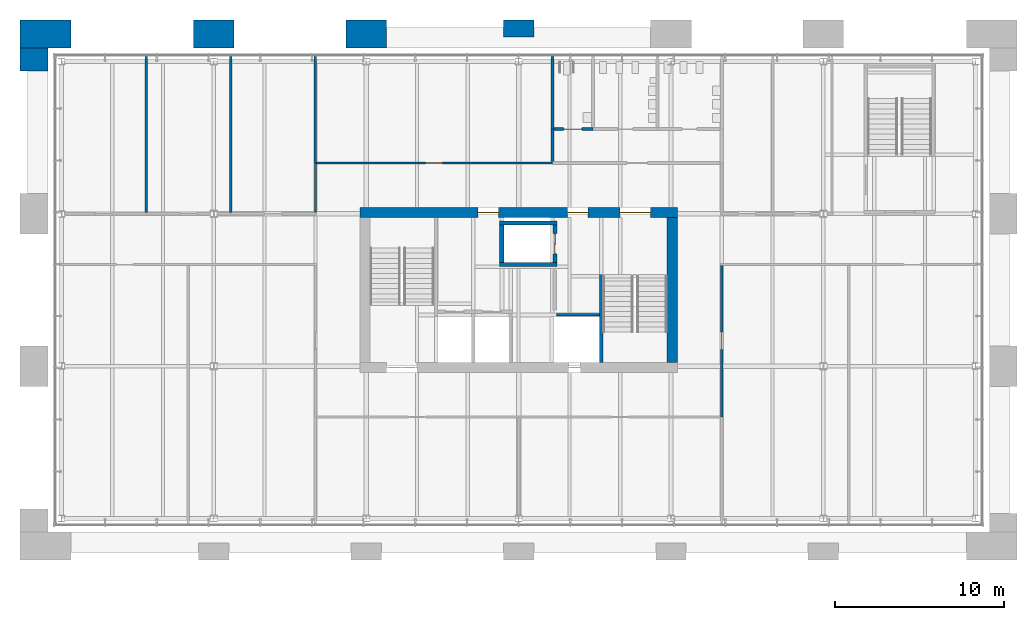
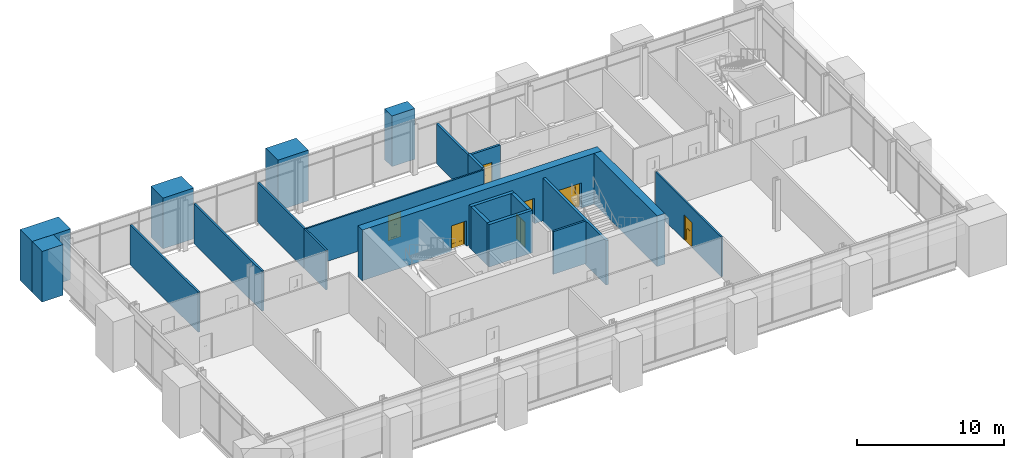
# One storey, part 24 of 43: 22 walls, 7 doors, 7 openings.
"""IFC4 building model written with IfcOpenShell, lengths in metres."""

from ifc_helpers import new_model, si_unit, direction, frame, frame_2d, origin, place, context, subcontext, project, spatial, polyline, rectangle, outline, extrude, material, layer, layer_set, type_object, element, fill, save


model = new_model("IFC4")

# Units and contexts
model_context = context("Model", 3, precision=1e-05, world=origin(), true_north=direction((0.0, 1.0)))
body_context = subcontext(model_context, "Body", "Model", "MODEL_VIEW")
ifc_project = project(units=[si_unit("LENGTHUNIT", "METRE"), si_unit("AREAUNIT", "SQUARE_METRE"), si_unit("VOLUMEUNIT", "CUBIC_METRE"), si_unit("PLANEANGLEUNIT", "RADIAN"), si_unit("MASSUNIT", "GRAM", prefix="KILO")], contexts=[model_context])

# Site, building, storey
site_placement = place(None, origin())
site = spatial("IfcSite", under=ifc_project, at=site_placement, CompositionType="ELEMENT")
building_placement = place(site_placement, origin())
building = spatial("IfcBuilding", under=site, at=building_placement, Name="Baradari Gate Terminus", CompositionType="ELEMENT")
storey_placement = place(building_placement, frame((0.0, 0.0, 20.10009765625)))
storey = spatial("IfcBuildingStorey", under=building, at=storey_placement, Name="L04", CompositionType="ELEMENT", Elevation=20.10009765625)

# Wall, opening, door
ifc_material_1 = material(Name="Gypsum board")
ifc_layer_1 = layer(ifc_material_1, 0.125)
ifc_layer_set_1 = layer_set([ifc_layer_1], Name="Gypsum board")
wall_type_1 = type_object("IfcWallType", Name="Corridor partition PT-5 125 EI 30", PredefinedType="PARTITIONING", material=ifc_layer_set_1)
wall_1_placement = place(storey_placement, frame((48.0, 131.9375, 0.0), z_axis=(0.0, 0.0, 1.0), x_axis=(0.0, -1.0, 0.0)))
wall_1 = element("IfcWall", 1, at=wall_1_placement, inside=storey, type_object=wall_type_1, Name="PT-5 partition Corridor / Meeting Room 1", PredefinedType="PARTITIONING", context=body_context, shape_type="SweptSolid", body=[
    extrude(rectangle(XDim=8.9375, YDim=0.125, at=frame_2d((4.46875, 0.0))), origin(), (0.0, 0.0, 1.0), 3.286865234375),
])
opening_1_placement = place(wall_1_placement, frame((3.91259765625, 0.0, 0.0)))
opening_1 = element("IfcOpeningElement", 2, at=opening_1_placement, cuts=wall_1, Name="Opening D04-024", PredefinedType="OPENING", context=body_context, shape_type="SweptSolid", body=[
    extrude(rectangle(XDim=1.050048828125, YDim=2.10009765625, at=frame_2d((0.52490234375, 1.050048828125))), frame((0.0, 0.072509765625, 0.0), z_axis=(0.0, -1.0, 0.0), x_axis=(1.0, 0.0, 0.0)), (0.0, 0.0, 1.0), 0.14501953125),
])
ifc_material_2 = material(Name="Steel S275", Category="steel")
door_type_1 = type_object("IfcDoorType", Name="Fire door FI-1050-FD30S 1050x2100 FD30S", OperationType="SINGLE_SWING_LEFT", PredefinedType="DOOR", material=ifc_material_2)
door_1_placement = place(opening_1_placement, frame((1.050048828125, 0.0, 0.0), z_axis=(0.0, 0.0, 1.0), x_axis=(-1.0, 0.0, 0.0)))
door_1 = element("IfcDoor", 3, at=door_1_placement, inside=storey, type_object=door_type_1, Name="Door Meeting Room 1", OperationType="SINGLE_SWING_LEFT", OverallHeight=2.1, OverallWidth=1.05, PredefinedType="DOOR", context=body_context, shape_type="SweptSolid", body=[
    extrude(outline(polyline([(0.0, 0.0), (0.070068359375, 0.0), (0.070068359375, 2.030029296875), (0.97998046875, 2.030029296875), (0.97998046875, 0.0), (1.050048828125, 0.0), (1.050048828125, 2.10009765625), (0.0, 2.10009765625), (0.0, 0.0)])), frame((0.0, 0.02490234375, 0.0), z_axis=(0.0, -1.0, 0.0), x_axis=(1.0, 0.0, 0.0)), (0.0, 0.0, 1.0), 0.050048828125),
    extrude(outline(polyline([(0.073974609375, 0.010009765625), (0.97607421875, 0.010009765625), (0.97607421875, 2.026123046875), (0.073974609375, 2.026123046875), (0.073974609375, 0.010009765625)]), holes=[polyline([(0.194091796875, 0.159912109375), (0.85595703125, 0.159912109375), (0.85595703125, 1.010009765625), (0.194091796875, 1.010009765625), (0.194091796875, 0.159912109375)]), polyline([(0.375, 1.159912109375), (0.675048828125, 1.159912109375), (0.675048828125, 1.760009765625), (0.375, 1.760009765625), (0.375, 1.159912109375)])]), frame((0.0, 0.017333984375, 0.0), z_axis=(0.0, -1.0, 0.0), x_axis=(1.0, 0.0, 0.0)), (0.0, 0.0, 1.0), 0.034912109375),
    extrude(rectangle(XDim=0.661865234375, YDim=0.85009765625, at=frame_2d((0.52490234375, 0.5849609375))), frame((0.0, 0.008544921875, 0.0), z_axis=(0.0, -1.0, 0.0), x_axis=(1.0, 0.0, 0.0)), (0.0, 0.0, 1.0), 0.017333984375),
    extrude(rectangle(XDim=0.300048828125, YDim=0.60009765625, at=frame_2d((0.52490234375, 1.4599609375))), frame((0.0, 0.005859375, 0.0), z_axis=(0.0, -1.0, 0.0), x_axis=(1.0, 0.0, 0.0)), (0.0, 0.0, 1.0), 0.011962890625),
])
fill(opening_1, door_1)

# Wall
wall_2_placement = place(storey_placement, frame((24.0, 135.0625, 0.0), z_axis=(0.0, 0.0, 1.0), x_axis=(0.0, 1.0, 0.0)))
element("IfcWall", 4, at=wall_2_placement, inside=storey, type_object=wall_type_1, Name="PT-5 partition Corridor / Freight and Parcels Office", PredefinedType="PARTITIONING", context=body_context, shape_type="SweptSolid", body=[
    extrude(rectangle(XDim=2.9375, YDim=0.125, at=frame_2d((1.46875, 0.0))), origin(), (0.0, 0.0, 1.0), 3.286865234375),
])

# Wall, opening, door
wall_3_placement = place(storey_placement, frame((24.074951171875, 138.0, 0.0), z_axis=(0.0, 0.0, 1.0), x_axis=(1.0, 0.0, 0.0)))
wall_3 = element("IfcWall", 5, at=wall_3_placement, inside=storey, type_object=wall_type_1, Name="PT-5 partition Corridor / Print and Stationery Room", PredefinedType="PARTITIONING", context=body_context, shape_type="SweptSolid", body=[
    extrude(rectangle(XDim=13.925048828125, YDim=0.125, at=frame_2d((6.96240234375, 0.0))), origin(), (0.0, 0.0, 1.0), 3.286865234375),
])
opening_2_placement = place(wall_3_placement, frame((6.425048828125, 0.0, 0.0)))
opening_2 = element("IfcOpeningElement", 6, at=opening_2_placement, cuts=wall_3, Name="Opening D04-026", PredefinedType="OPENING", context=body_context, shape_type="SweptSolid", body=[
    extrude(rectangle(XDim=1.0, YDim=2.10009765625, at=frame_2d((0.5, 1.050048828125))), frame((0.0, 0.072509765625, 0.0), z_axis=(0.0, -1.0, 0.0), x_axis=(1.0, 0.0, 0.0)), (0.0, 0.0, 1.0), 0.14501953125),
])
ifc_material_3 = material(Name="Steel S275", Category="steel")
door_type_2 = type_object("IfcDoorType", Name="Fire door FI-1000-FD30S 1000x2100 FD30S", OperationType="SINGLE_SWING_LEFT", PredefinedType="DOOR", material=ifc_material_3)
door_2_placement = place(opening_2_placement, origin())
door_2 = element("IfcDoor", 7, at=door_2_placement, inside=storey, type_object=door_type_2, Name="Door Print and Stationery Room", OperationType="SINGLE_SWING_LEFT", OverallHeight=2.1, OverallWidth=1.0, PredefinedType="DOOR", context=body_context, shape_type="SweptSolid", body=[
    extrude(outline(polyline([(0.0, 0.0), (0.070068359375, 0.0), (0.070068359375, 2.030029296875), (0.929931640625, 2.030029296875), (0.929931640625, 0.0), (1.0, 0.0), (1.0, 2.10009765625), (0.0, 2.10009765625), (0.0, 0.0)])), frame((0.0, 0.02490234375, 0.0), z_axis=(0.0, -1.0, 0.0), x_axis=(1.0, 0.0, 0.0)), (0.0, 0.0, 1.0), 0.050048828125),
    extrude(outline(polyline([(0.073974609375, 0.010009765625), (0.926025390625, 0.010009765625), (0.926025390625, 2.026123046875), (0.073974609375, 2.026123046875), (0.073974609375, 0.010009765625)]), holes=[polyline([(0.194091796875, 0.159912109375), (0.805908203125, 0.159912109375), (0.805908203125, 1.010009765625), (0.194091796875, 1.010009765625), (0.194091796875, 0.159912109375)]), polyline([(0.35009765625, 1.159912109375), (0.64990234375, 1.159912109375), (0.64990234375, 1.760009765625), (0.35009765625, 1.760009765625), (0.35009765625, 1.159912109375)])]), frame((0.0, 0.017333984375, 0.0), z_axis=(0.0, -1.0, 0.0), x_axis=(1.0, 0.0, 0.0)), (0.0, 0.0, 1.0), 0.034912109375),
    extrude(rectangle(XDim=0.61181640625, YDim=0.85009765625, at=frame_2d((0.5, 0.5849609375))), frame((0.0, 0.008544921875, 0.0), z_axis=(0.0, -1.0, 0.0), x_axis=(1.0, 0.0, 0.0)), (0.0, 0.0, 1.0), 0.017333984375),
    extrude(rectangle(XDim=0.2998046875, YDim=0.60009765625, at=frame_2d((0.5, 1.4599609375))), frame((0.0, 0.005859375, 0.0), z_axis=(0.0, -1.0, 0.0), x_axis=(1.0, 0.0, 0.0)), (0.0, 0.0, 1.0), 0.011962890625),
])
fill(opening_2, door_2)

# Walls
ifc_material_4 = material(Name="Concrete C32/40", Category="concrete")
ifc_layer_2 = layer(ifc_material_4, 0.25)
ifc_layer_set_2 = layer_set([ifc_layer_2], Name="Concrete C32/40")
wall_type_2 = type_object("IfcWallType", Name="Firefighting lift shaft wall SH-2 250 EI 120", PredefinedType="SOLIDWALL", material=ifc_layer_set_2)
for number, where, z_axis, x_axis, name in (
    (8, (34.875, 132.0, 0.0), (0.0, 0.0, 1.0), (1.0, 0.0, 0.0), "Lift shaft wall LT3 L04 S"),
    (9, (34.875, 134.449951171875, 0.0), (0.0, 0.0, 1.0), (1.0, 0.0, 0.0), "Lift shaft wall LT3 L04 N"),
):
    element("IfcWall", number, at=place(storey_placement, frame(where, z_axis=z_axis, x_axis=x_axis)), inside=storey, type_object=wall_type_2, Name=name, PredefinedType="SOLIDWALL", context=body_context, shape_type="SweptSolid", body=[
        extrude(rectangle(XDim=3.39990234375, YDim=0.25, at=frame_2d((1.699951171875, 0.0))), origin(), (0.0, 0.0, 1.0), 3.515869140625),
    ])
wall_4_placement = place(storey_placement, frame((35.0, 132.125, 0.0), z_axis=(0.0, 0.0, 1.0), x_axis=(0.0, 1.0, 0.0)))
element("IfcWall", 10, at=wall_4_placement, inside=storey, type_object=wall_type_2, Name="Lift shaft wall LT3 L04 W", PredefinedType="SOLIDWALL", context=body_context, shape_type="SweptSolid", body=[
    extrude(rectangle(XDim=2.199951171875, YDim=0.25, at=frame_2d((1.10009765625, 0.0))), origin(), (0.0, 0.0, 1.0), 3.515869140625),
])

# Wall, opening, door
wall_5_placement = place(storey_placement, frame((38.14990234375, 132.125, 0.0), z_axis=(0.0, 0.0, 1.0), x_axis=(0.0, 1.0, 0.0)))
wall_5 = element("IfcWall", 11, at=wall_5_placement, inside=storey, type_object=wall_type_2, Name="Lift shaft wall LT3 L04 E", PredefinedType="SOLIDWALL", context=body_context, shape_type="SweptSolid", body=[
    extrude(rectangle(XDim=2.199951171875, YDim=0.25, at=frame_2d((1.10009765625, 0.0))), origin(), (0.0, 0.0, 1.0), 3.515869140625),
])
opening_3_placement = place(wall_5_placement, frame((0.5, 0.0, 0.0)))
opening_3 = element("IfcOpeningElement", 12, at=opening_3_placement, cuts=wall_5, Name="Opening D04-007", PredefinedType="OPENING", context=body_context, shape_type="SweptSolid", body=[
    extrude(rectangle(XDim=1.199951171875, YDim=2.10009765625, at=frame_2d((0.60009765625, 1.050048828125))), frame((0.0, 0.135009765625, 0.0), z_axis=(0.0, -1.0, 0.0), x_axis=(1.0, 0.0, 0.0)), (0.0, 0.0, 1.0), 0.27001953125),
])
ifc_material_5 = material(Name="Stainless steel 1.4301", Category="steel")
door_type_3 = type_object("IfcDoorType", Name="Lift landing door LD2 1200x2100 E 120", OperationType="SLIDING_TO_LEFT", PredefinedType="DOOR", material=ifc_material_5)
door_3_placement = place(opening_3_placement, origin())
door_3 = element("IfcDoor", 13, at=door_3_placement, inside=storey, type_object=door_type_3, Name="Lift landing door LT3 L04", OperationType="SLIDING_TO_LEFT", OverallHeight=2.1, OverallWidth=1.2, PredefinedType="DOOR", context=body_context, shape_type="SweptSolid", body=[
    extrude(outline(polyline([(0.0, 0.0), (0.070068359375, 0.0), (0.070068359375, 2.030029296875), (1.1298828125, 2.030029296875), (1.1298828125, 0.0), (1.199951171875, 0.0), (1.199951171875, 2.10009765625), (0.0, 2.10009765625), (0.0, 0.0)])), frame((0.0, 0.02490234375, 0.0), z_axis=(0.0, -1.0, 0.0), x_axis=(1.0, 0.0, 0.0)), (0.0, 0.0, 1.0), 0.050048828125),
    extrude(rectangle(XDim=0.57861328125, YDim=2.01611328125, at=frame_2d((0.36328125, 1.01806640625))), frame((0.0, 0.017822265625, 0.0), z_axis=(0.0, -1.0, 0.0), x_axis=(1.0, 0.0, 0.0)), (0.0, 0.0, 1.0), 0.015869140625),
    extrude(rectangle(XDim=0.57470703125, YDim=2.01611328125, at=frame_2d((0.838623046875, 1.01806640625))), frame((0.0, -0.002197265625, 0.0), z_axis=(0.0, -1.0, 0.0), x_axis=(1.0, 0.0, 0.0)), (0.0, 0.0, 1.0), 0.015869140625),
])
fill(opening_3, door_3)

# Wall
ifc_material_6 = material(Name="Blockwork wall, plastered, fire rated", Category="masonry")
ifc_layer_3 = layer(ifc_material_6, 0.199951171875)
ifc_layer_set_3 = layer_set([ifc_layer_3], Name="Blockwork wall, plastered, fire rated")
wall_type_3 = type_object("IfcWallType", Name="Lobby partition PT-4 200 EI 60", PredefinedType="PARTITIONING", material=ifc_layer_set_3)
wall_6_placement = place(storey_placement, frame((38.0, 138.10009765625, 0.0), z_axis=(0.0, 0.0, 1.0), x_axis=(0.0, 1.0, 0.0)))
element("IfcWall", 14, at=wall_6_placement, inside=storey, type_object=wall_type_3, Name="PT-4 partition WC Lobby / Print and Stationery Room", PredefinedType="PARTITIONING", context=body_context, shape_type="SweptSolid", body=[
    extrude(rectangle(XDim=1.89990234375, YDim=0.199951171875, at=frame_2d((0.949951171875, 0.0))), origin(), (0.0, 0.0, 1.0), 3.3818359375),
])

# Wall, openings, doors
ifc_material_7 = material(Name="Concrete C40/50", Category="concrete")
ifc_layer_4 = layer(ifc_material_7, 0.60009765625)
ifc_layer_set_4 = layer_set([ifc_layer_4], Name="Concrete C40/50")
wall_type_4 = type_object("IfcWallType", Name="Operations block core wall CWL01 600", PredefinedType="SOLIDWALL", material=ifc_layer_set_4)
wall_7_placement = place(storey_placement, frame((26.625, 135.074951171875, 0.0), z_axis=(0.0, 0.0, 1.0), x_axis=(1.0, 0.0, 0.0)))
wall_7 = element("IfcWall", 15, at=wall_7_placement, inside=storey, type_object=wall_type_4, Name="Operations block core wall CT N L04", PredefinedType="SOLIDWALL", context=body_context, shape_type="SweptSolid", body=[
    extrude(rectangle(XDim=18.75, YDim=0.60009765625, at=frame_2d((9.375, 0.0))), origin(), (0.0, 0.0, 1.0), 4.199951171875),
])
opening_4_placement = place(wall_7_placement, frame((15.375, 0.0, 0.0)))
opening_4 = element("IfcOpeningElement", 16, at=opening_4_placement, cuts=wall_7, Name="Opening D04-009", PredefinedType="OPENING", context=body_context, shape_type="SweptSolid", body=[
    extrude(rectangle(XDim=1.800048828125, YDim=2.10009765625, at=frame_2d((0.89990234375, 1.050048828125))), frame((0.0, 0.31005859375, 0.0), z_axis=(0.0, -1.0, 0.0), x_axis=(1.0, 0.0, 0.0)), (0.0, 0.0, 1.0), 0.6201171875),
])
opening_5_placement = place(wall_7_placement, frame((6.97509765625, 0.0, 0.0)))
opening_5 = element("IfcOpeningElement", 17, at=opening_5_placement, cuts=wall_7, Name="Opening D04-010", PredefinedType="OPENING", context=body_context, shape_type="SweptSolid", body=[
    extrude(rectangle(XDim=1.199951171875, YDim=2.10009765625, at=frame_2d((0.60009765625, 1.050048828125))), frame((0.0, 0.31005859375, 0.0), z_axis=(0.0, -1.0, 0.0), x_axis=(1.0, 0.0, 0.0)), (0.0, 0.0, 1.0), 0.6201171875),
])
opening_6_placement = place(wall_7_placement, frame((12.27490234375, 0.0, 0.0)))
opening_6 = element("IfcOpeningElement", 18, at=opening_6_placement, cuts=wall_7, Name="Opening D04-011", PredefinedType="OPENING", context=body_context, shape_type="SweptSolid", body=[
    extrude(rectangle(XDim=1.199951171875, YDim=2.10009765625, at=frame_2d((0.60009765625, 1.050048828125))), frame((0.0, 0.31005859375, 0.0), z_axis=(0.0, -1.0, 0.0), x_axis=(1.0, 0.0, 0.0)), (0.0, 0.0, 1.0), 0.6201171875),
])
ifc_material_8 = material(Name="Steel S275", Category="steel")
door_type_4 = type_object("IfcDoorType", Name="Fire door FI-1200-FD90S 1200x2100 FD90S", OperationType="DOUBLE_DOOR_SINGLE_SWING", PredefinedType="DOOR", material=ifc_material_8)
door_4_placement = place(opening_5_placement, frame((1.199951171875, 0.0, 0.0), z_axis=(0.0, 0.0, 1.0), x_axis=(-1.0, 0.0, 0.0)))
door_4 = element("IfcDoor", 19, at=door_4_placement, inside=storey, type_object=door_type_4, Name="Door Lift Lobby", OperationType="DOUBLE_DOOR_SINGLE_SWING", OverallHeight=2.1, OverallWidth=1.2, PredefinedType="DOOR", context=body_context, shape_type="SweptSolid", body=[
    extrude(outline(polyline([(0.0, 0.0), (0.070068359375, 0.0), (0.070068359375, 2.030029296875), (1.1298828125, 2.030029296875), (1.1298828125, 0.0), (1.199951171875, 0.0), (1.199951171875, 2.10009765625), (0.0, 2.10009765625), (0.0, 0.0)])), frame((0.0, 0.02490234375, 0.0), z_axis=(0.0, -1.0, 0.0), x_axis=(1.0, 0.0, 0.0)), (0.0, 0.0, 1.0), 0.050048828125),
    extrude(outline(polyline([(0.073974609375, 0.010009765625), (0.596923828125, 0.010009765625), (0.596923828125, 2.026123046875), (0.073974609375, 2.026123046875), (0.073974609375, 0.010009765625)]), holes=[polyline([(0.178466796875, 0.372802734375), (0.492431640625, 0.372802734375), (0.492431640625, 1.7841796875), (0.178466796875, 1.7841796875), (0.178466796875, 0.372802734375)])]), frame((0.0, 0.017333984375, 0.0), z_axis=(0.0, -1.0, 0.0), x_axis=(1.0, 0.0, 0.0)), (0.0, 0.0, 1.0), 0.034912109375),
    extrude(rectangle(XDim=0.31396484375, YDim=1.411376953125, at=frame_2d((0.33544921875, 1.07861328125))), frame((0.0, 0.008544921875, 0.0), z_axis=(0.0, -1.0, 0.0), x_axis=(1.0, 0.0, 0.0)), (0.0, 0.0, 1.0), 0.017333984375),
    extrude(outline(polyline([(0.60302734375, 0.010009765625), (1.1259765625, 0.010009765625), (1.1259765625, 2.026123046875), (0.60302734375, 2.026123046875), (0.60302734375, 0.010009765625)]), holes=[polyline([(0.70751953125, 0.372802734375), (1.021484375, 0.372802734375), (1.021484375, 1.7841796875), (0.70751953125, 1.7841796875), (0.70751953125, 0.372802734375)])]), frame((0.0, 0.017333984375, 0.0), z_axis=(0.0, -1.0, 0.0), x_axis=(1.0, 0.0, 0.0)), (0.0, 0.0, 1.0), 0.034912109375),
    extrude(rectangle(XDim=0.31396484375, YDim=1.411376953125, at=frame_2d((0.864501953125, 1.07861328125))), frame((0.0, 0.008544921875, 0.0), z_axis=(0.0, -1.0, 0.0), x_axis=(1.0, 0.0, 0.0)), (0.0, 0.0, 1.0), 0.017333984375),
])
fill(opening_5, door_4)
door_5_placement = place(opening_6_placement, frame((1.199951171875, 0.0, 0.0), z_axis=(0.0, 0.0, 1.0), x_axis=(-1.0, 0.0, 0.0)))
door_5 = element("IfcDoor", 20, at=door_5_placement, inside=storey, type_object=door_type_4, Name="Door Lift Lobby (Fire-fighting)", OperationType="DOUBLE_DOOR_SINGLE_SWING", OverallHeight=2.1, OverallWidth=1.2, PredefinedType="DOOR", context=body_context, shape_type="SweptSolid", body=[
    extrude(outline(polyline([(0.0, 0.0), (0.070068359375, 0.0), (0.070068359375, 2.030029296875), (1.1298828125, 2.030029296875), (1.1298828125, 0.0), (1.199951171875, 0.0), (1.199951171875, 2.10009765625), (0.0, 2.10009765625), (0.0, 0.0)])), frame((0.0, 0.02490234375, 0.0), z_axis=(0.0, -1.0, 0.0), x_axis=(1.0, 0.0, 0.0)), (0.0, 0.0, 1.0), 0.050048828125),
    extrude(outline(polyline([(0.073974609375, 0.010009765625), (0.596923828125, 0.010009765625), (0.596923828125, 2.026123046875), (0.073974609375, 2.026123046875), (0.073974609375, 0.010009765625)]), holes=[polyline([(0.178466796875, 0.372802734375), (0.492431640625, 0.372802734375), (0.492431640625, 1.7841796875), (0.178466796875, 1.7841796875), (0.178466796875, 0.372802734375)])]), frame((0.0, 0.017333984375, 0.0), z_axis=(0.0, -1.0, 0.0), x_axis=(1.0, 0.0, 0.0)), (0.0, 0.0, 1.0), 0.034912109375),
    extrude(rectangle(XDim=0.31396484375, YDim=1.411376953125, at=frame_2d((0.33544921875, 1.07861328125))), frame((0.0, 0.008544921875, 0.0), z_axis=(0.0, -1.0, 0.0), x_axis=(1.0, 0.0, 0.0)), (0.0, 0.0, 1.0), 0.017333984375),
    extrude(outline(polyline([(0.60302734375, 0.010009765625), (1.1259765625, 0.010009765625), (1.1259765625, 2.026123046875), (0.60302734375, 2.026123046875), (0.60302734375, 0.010009765625)]), holes=[polyline([(0.70751953125, 0.372802734375), (1.021484375, 0.372802734375), (1.021484375, 1.7841796875), (0.70751953125, 1.7841796875), (0.70751953125, 0.372802734375)])]), frame((0.0, 0.017333984375, 0.0), z_axis=(0.0, -1.0, 0.0), x_axis=(1.0, 0.0, 0.0)), (0.0, 0.0, 1.0), 0.034912109375),
    extrude(rectangle(XDim=0.31396484375, YDim=1.411376953125, at=frame_2d((0.864501953125, 1.07861328125))), frame((0.0, 0.008544921875, 0.0), z_axis=(0.0, -1.0, 0.0), x_axis=(1.0, 0.0, 0.0)), (0.0, 0.0, 1.0), 0.017333984375),
])
fill(opening_6, door_5)
ifc_material_9 = material(Name="Steel S275", Category="steel")
door_type_5 = type_object("IfcDoorType", Name="Fire door FI-1800-FD90S 1800x2100 FD90S", OperationType="DOUBLE_DOOR_SINGLE_SWING", PredefinedType="DOOR", material=ifc_material_9)
door_6_placement = place(opening_4_placement, frame((1.800048828125, 0.0, 0.0), z_axis=(0.0, 0.0, 1.0), x_axis=(-1.0, 0.0, 0.0)))
door_6 = element("IfcDoor", 21, at=door_6_placement, inside=storey, type_object=door_type_5, Name="Door Stair (Core) 2", OperationType="DOUBLE_DOOR_SINGLE_SWING", OverallHeight=2.1, OverallWidth=1.8, PredefinedType="DOOR", context=body_context, shape_type="SweptSolid", body=[
    extrude(outline(polyline([(0.0, 0.0), (0.070068359375, 0.0), (0.070068359375, 2.030029296875), (1.72998046875, 2.030029296875), (1.72998046875, 0.0), (1.800048828125, 0.0), (1.800048828125, 2.10009765625), (0.0, 2.10009765625), (0.0, 0.0)])), frame((0.0, 0.02490234375, 0.0), z_axis=(0.0, -1.0, 0.0), x_axis=(1.0, 0.0, 0.0)), (0.0, 0.0, 1.0), 0.050048828125),
    extrude(outline(polyline([(0.073974609375, 0.010009765625), (0.89697265625, 0.010009765625), (0.89697265625, 2.026123046875), (0.073974609375, 2.026123046875), (0.073974609375, 0.010009765625)]), holes=[polyline([(0.194091796875, 0.159912109375), (0.77685546875, 0.159912109375), (0.77685546875, 1.010009765625), (0.194091796875, 1.010009765625), (0.194091796875, 0.159912109375)]), polyline([(0.33544921875, 1.159912109375), (0.635498046875, 1.159912109375), (0.635498046875, 1.760009765625), (0.33544921875, 1.760009765625), (0.33544921875, 1.159912109375)])]), frame((0.0, 0.017333984375, 0.0), z_axis=(0.0, -1.0, 0.0), x_axis=(1.0, 0.0, 0.0)), (0.0, 0.0, 1.0), 0.034912109375),
    extrude(rectangle(XDim=0.582763671875, YDim=0.85009765625, at=frame_2d((0.4853515625, 0.5849609375))), frame((0.0, 0.008544921875, 0.0), z_axis=(0.0, -1.0, 0.0), x_axis=(1.0, 0.0, 0.0)), (0.0, 0.0, 1.0), 0.017333984375),
    extrude(rectangle(XDim=0.300048828125, YDim=0.60009765625, at=frame_2d((0.4853515625, 1.4599609375))), frame((0.0, 0.005859375, 0.0), z_axis=(0.0, -1.0, 0.0), x_axis=(1.0, 0.0, 0.0)), (0.0, 0.0, 1.0), 0.011962890625),
    extrude(outline(polyline([(0.903076171875, 0.010009765625), (1.72607421875, 0.010009765625), (1.72607421875, 2.026123046875), (0.903076171875, 2.026123046875), (0.903076171875, 0.010009765625)]), holes=[polyline([(1.023193359375, 0.159912109375), (1.60595703125, 0.159912109375), (1.60595703125, 1.010009765625), (1.023193359375, 1.010009765625), (1.023193359375, 0.159912109375)]), polyline([(1.16455078125, 1.159912109375), (1.464599609375, 1.159912109375), (1.464599609375, 1.760009765625), (1.16455078125, 1.760009765625), (1.16455078125, 1.159912109375)])]), frame((0.0, 0.017333984375, 0.0), z_axis=(0.0, -1.0, 0.0), x_axis=(1.0, 0.0, 0.0)), (0.0, 0.0, 1.0), 0.034912109375),
    extrude(rectangle(XDim=0.582763671875, YDim=0.85009765625, at=frame_2d((1.314453125, 0.5849609375))), frame((0.0, 0.008544921875, 0.0), z_axis=(0.0, -1.0, 0.0), x_axis=(1.0, 0.0, 0.0)), (0.0, 0.0, 1.0), 0.017333984375),
    extrude(rectangle(XDim=0.300048828125, YDim=0.60009765625, at=frame_2d((1.314453125, 1.4599609375))), frame((0.0, 0.005859375, 0.0), z_axis=(0.0, -1.0, 0.0), x_axis=(1.0, 0.0, 0.0)), (0.0, 0.0, 1.0), 0.011962890625),
])
fill(opening_4, door_6)

# Walls
wall_8_placement = place(storey_placement, frame((45.074951171875, 126.22509765625, 0.0), z_axis=(0.0, 0.0, 1.0), x_axis=(0.0, 1.0, 0.0)))
element("IfcWall", 22, at=wall_8_placement, inside=storey, type_object=wall_type_4, Name="Operations block core wall CT E L04", PredefinedType="SOLIDWALL", context=body_context, shape_type="SweptSolid", body=[
    extrude(rectangle(XDim=8.5498046875, YDim=0.60009765625, at=frame_2d((4.27490234375, 0.0))), origin(), (0.0, 0.0, 1.0), 4.199951171875),
])
ifc_material_10 = material(Name="Blockwork wall, plastered", Category="masonry")
ifc_layer_5 = layer(ifc_material_10, 0.14990234375)
ifc_layer_set_5 = layer_set([ifc_layer_5], Name="Blockwork wall, plastered")
wall_type_5 = type_object("IfcWallType", Name="Partition PT-2 150 EI 60", PredefinedType="PARTITIONING", material=ifc_layer_set_5)
for number, where, z_axis, x_axis, name in (
    (23, (14.0, 144.294921875, 0.0), (0.0, 0.0, 1.0), (0.0, -1.0, 0.0), "PT-2 partition Station Master's Office / Revenue Office"),
    (24, (19.0, 144.294921875, 0.0), (0.0, 0.0, 1.0), (0.0, -1.0, 0.0), "PT-2 partition Revenue Office / Freight and Parcels Office"),
):
    element("IfcWall", number, at=place(storey_placement, frame(where, z_axis=z_axis, x_axis=x_axis)), inside=storey, type_object=wall_type_5, Name=name, PredefinedType="PARTITIONING", context=body_context, shape_type="SweptSolid", body=[
        extrude(rectangle(XDim=9.232421875, YDim=0.14990234375, at=frame_2d((4.6162109375, 0.0))), origin(), (0.0, 0.0, 1.0), 3.306884765625),
    ])
wall_9_placement = place(storey_placement, frame((24.0, 144.294921875, 0.0), z_axis=(0.0, 0.0, 1.0), x_axis=(0.0, -1.0, 0.0)))
element("IfcWall", 25, at=wall_9_placement, inside=storey, type_object=wall_type_5, Name="PT-2 partition Freight and Parcels Office / Print and Stationery Room", PredefinedType="PARTITIONING", context=body_context, shape_type="SweptSolid", body=[
    extrude(rectangle(XDim=6.294921875, YDim=0.14990234375, at=frame_2d((3.1474609375, 0.0))), origin(), (0.0, 0.0, 1.0), 3.306884765625),
])
ifc_material_11 = material(Name="Blockwork wall, fire rated", Category="masonry")
ifc_layer_6 = layer(ifc_material_11, 0.14990234375)
ifc_layer_set_6 = layer_set([ifc_layer_6], Name="Blockwork wall, fire rated")
wall_type_6 = type_object("IfcWallType", Name="Riser wall RW-1 150 EI 120", PredefinedType="SOLIDWALL", material=ifc_layer_set_6)
wall_10_placement = place(storey_placement, frame((40.77294921875, 129.02490234375, 0.0), z_axis=(0.0, 0.0, 1.0), x_axis=(-1.0, 0.0, 0.0)))
element("IfcWall", 26, at=wall_10_placement, inside=storey, type_object=wall_type_6, Name="RW-1 partition Lift Lobby (Fire-fighting) / Riser", PredefinedType="SOLIDWALL", context=body_context, shape_type="SweptSolid", body=[
    extrude(rectangle(XDim=2.5478515625, YDim=0.14990234375, at=frame_2d((1.27392578125, 0.0))), origin(), (0.0, 0.0, 1.0), 3.535888671875),
])
ifc_material_12 = material(Name="Concrete C40/50 precast", Category="concrete")
ifc_layer_7 = layer(ifc_material_12, 1.55)
ifc_material_13 = material(Name="Sandstone cladding", Category="masonry")
ifc_layer_8 = layer(ifc_material_13, 0.1)
ifc_layer_set_7 = layer_set([ifc_layer_7, ifc_layer_8], Name="Concrete C40/50 precast")
wall_type_7 = type_object("IfcWallType", Name="Sandstone-faced precast frame pier WQ-4 1650", PredefinedType="SOLIDWALL", material=ifc_layer_set_7)
for number, where, z_axis, x_axis, name in (
    (27, (16.800048828125, 145.6201171875, 0.0), (0.0, 0.0, 1.0), (1.0, 0.0, 0.0), "Frame pier N face bay 1 a L04"),
    (28, (25.800048828125, 145.6201171875, 0.0), (0.0, 0.0, 1.0), (1.0, 0.0, 0.0), "Frame pier N face bay 1 b L04"),
):
    element("IfcWall", number, at=place(storey_placement, frame(where, z_axis=z_axis, x_axis=x_axis)), inside=storey, type_object=wall_type_7, Name=name, PredefinedType="SOLIDWALL", context=body_context, shape_type="SweptSolid", body=[
        extrude(rectangle(XDim=2.39990234375, YDim=1.64990234375, at=frame_2d((1.199951171875, 0.0))), origin(), (0.0, 0.0, 1.0), 4.199951171875),
    ])
wall_11_placement = place(storey_placement, frame((6.554931640625, 145.6201171875, 0.0), z_axis=(0.0, 0.0, 1.0), x_axis=(1.0, 0.0, 0.0)))
element("IfcWall", 29, at=wall_11_placement, inside=storey, type_object=wall_type_7, Name="Corner pilaster NW leg A L04", PredefinedType="SOLIDWALL", context=body_context, shape_type="SweptSolid", body=[
    extrude(rectangle(XDim=3.0, YDim=1.64990234375, at=frame_2d((1.5, 0.0))), origin(), (0.0, 0.0, 1.0), 4.199951171875),
])
wall_12_placement = place(storey_placement, frame((7.3798828125, 143.445068359375, 0.0), z_axis=(0.0, 0.0, 1.0), x_axis=(0.0, 1.0, 0.0)))
element("IfcWall", 30, at=wall_12_placement, inside=storey, type_object=wall_type_7, Name="Corner pilaster NW leg B L04", PredefinedType="SOLIDWALL", context=body_context, shape_type="SweptSolid", body=[
    extrude(rectangle(XDim=1.349853515625, YDim=1.64990234375, at=frame_2d((0.6748046875, 0.0))), origin(), (0.0, 0.0, 1.0), 4.199951171875),
])
ifc_layer_9 = layer(ifc_material_12, 0.9)
ifc_layer_10 = layer(ifc_material_13, 0.1)
ifc_layer_set_8 = layer_set([ifc_layer_9, ifc_layer_10], Name="Concrete C40/50 precast")
wall_type_8 = type_object("IfcWallType", Name="Sandstone-faced precast grid pier WQ-6 1000", PredefinedType="SOLIDWALL", material=ifc_layer_set_8)
wall_13_placement = place(storey_placement, frame((35.10009765625, 145.945068359375, 0.0), z_axis=(0.0, 0.0, 1.0), x_axis=(1.0, 0.0, 0.0)))
element("IfcWall", 31, at=wall_13_placement, inside=storey, type_object=wall_type_8, Name="Grid pier N face grid 36 L04", PredefinedType="SOLIDWALL", context=body_context, shape_type="SweptSolid", body=[
    extrude(rectangle(XDim=1.7998046875, YDim=1.0, at=frame_2d((0.89990234375, 0.0))), origin(), (0.0, 0.0, 1.0), 4.199951171875),
])
ifc_material_14 = material(Name="Concrete C40/50", Category="concrete")
ifc_layer_11 = layer(ifc_material_14, 0.199951171875)
ifc_layer_set_9 = layer_set([ifc_layer_11], Name="Concrete C40/50")
wall_type_9 = type_object("IfcWallType", Name="Stair enclosure wall SE-1 200 EI 120", PredefinedType="SOLIDWALL", material=ifc_layer_set_9)
wall_14_placement = place(storey_placement, frame((40.875, 126.22705078125, -0.130126953125), z_axis=(0.0, 0.0, 1.0), x_axis=(0.0, 1.0, 0.0)))
element("IfcWall", 32, at=wall_14_placement, inside=storey, type_object=wall_type_9, Name="Stair enclosure wall SE-1 ST-T2 L04 W", PredefinedType="SOLIDWALL", context=body_context, shape_type="SweptSolid", body=[
    extrude(rectangle(XDim=8.5458984375, YDim=0.199951171875, at=frame_2d((4.27294921875, 0.0))), origin(), (0.0, 0.0, 1.0), 3.666015625),
])

# Wall, opening, door
ifc_material_15 = material(Name="Blockwork wall, tiled both faces", Category="masonry")
ifc_layer_12 = layer(ifc_material_15, 0.175048828125)
ifc_layer_set_10 = layer_set([ifc_layer_12], Name="Blockwork wall, tiled both faces")
wall_type_10 = type_object("IfcWallType", Name="WC wet wall PT-6 175 EI 60", PredefinedType="PARTITIONING", material=ifc_layer_set_10)
wall_15_placement = place(storey_placement, frame((38.10009765625, 140.0, 0.0), z_axis=(0.0, 0.0, 1.0), x_axis=(1.0, 0.0, 0.0)))
wall_15 = element("IfcWall", 33, at=wall_15_placement, inside=storey, type_object=wall_type_10, Name="PT-6 partition WC Lobby / Accessible WC", PredefinedType="PARTITIONING", context=body_context, shape_type="SweptSolid", body=[
    extrude(rectangle(XDim=2.2998046875, YDim=0.175048828125, at=frame_2d((1.14990234375, 0.0))), origin(), (0.0, 0.0, 1.0), 3.306884765625),
])
opening_7_placement = place(wall_15_placement, frame((0.550048828125, 0.0, 0.0)))
opening_7 = element("IfcOpeningElement", 34, at=opening_7_placement, cuts=wall_15, Name="Opening D04-016", PredefinedType="OPENING", context=body_context, shape_type="SweptSolid", body=[
    extrude(rectangle(XDim=1.10009765625, YDim=2.10009765625, at=frame_2d((0.550048828125, 1.050048828125))), frame((0.0, 0.097412109375, 0.0), z_axis=(0.0, -1.0, 0.0), x_axis=(1.0, 0.0, 0.0)), (0.0, 0.0, 1.0), 0.195068359375),
])
ifc_material_16 = material(Name="Steel S275", Category="steel")
door_type_6 = type_object("IfcDoorType", Name="Fire door FI-1100-FD60S 1100x2100 FD60S", OperationType="SINGLE_SWING_LEFT", PredefinedType="DOOR", material=ifc_material_16)
door_7_placement = place(opening_7_placement, origin())
door_7 = element("IfcDoor", 35, at=door_7_placement, inside=storey, type_object=door_type_6, Name="Door Accessible WC", OperationType="SINGLE_SWING_LEFT", OverallHeight=2.1, OverallWidth=1.1, PredefinedType="DOOR", context=body_context, shape_type="SweptSolid", body=[
    extrude(outline(polyline([(0.0, 0.0), (0.070068359375, 0.0), (0.070068359375, 2.030029296875), (1.030029296875, 2.030029296875), (1.030029296875, 0.0), (1.10009765625, 0.0), (1.10009765625, 2.10009765625), (0.0, 2.10009765625), (0.0, 0.0)])), frame((0.0, 0.02490234375, 0.0), z_axis=(0.0, -1.0, 0.0), x_axis=(1.0, 0.0, 0.0)), (0.0, 0.0, 1.0), 0.050048828125),
    extrude(outline(polyline([(0.073974609375, 0.010009765625), (1.026123046875, 0.010009765625), (1.026123046875, 2.026123046875), (0.073974609375, 2.026123046875), (0.073974609375, 0.010009765625)]), holes=[polyline([(0.194091796875, 0.159912109375), (0.906005859375, 0.159912109375), (0.906005859375, 1.010009765625), (0.194091796875, 1.010009765625), (0.194091796875, 0.159912109375)]), polyline([(0.400146484375, 1.159912109375), (0.699951171875, 1.159912109375), (0.699951171875, 1.760009765625), (0.400146484375, 1.760009765625), (0.400146484375, 1.159912109375)])]), frame((0.0, 0.017333984375, 0.0), z_axis=(0.0, -1.0, 0.0), x_axis=(1.0, 0.0, 0.0)), (0.0, 0.0, 1.0), 0.034912109375),
    extrude(rectangle(XDim=0.7119140625, YDim=0.85009765625, at=frame_2d((0.550048828125, 0.5849609375))), frame((0.0, 0.008544921875, 0.0), z_axis=(0.0, -1.0, 0.0), x_axis=(1.0, 0.0, 0.0)), (0.0, 0.0, 1.0), 0.017333984375),
    extrude(rectangle(XDim=0.2998046875, YDim=0.60009765625, at=frame_2d((0.550048828125, 1.4599609375))), frame((0.0, 0.005859375, 0.0), z_axis=(0.0, -1.0, 0.0), x_axis=(1.0, 0.0, 0.0)), (0.0, 0.0, 1.0), 0.011962890625),
])
fill(opening_7, door_7)

# Wall
wall_16_placement = place(storey_placement, frame((38.0, 140.0, 0.0), z_axis=(0.0, 0.0, 1.0), x_axis=(0.0, 1.0, 0.0)))
element("IfcWall", 36, at=wall_16_placement, inside=storey, type_object=wall_type_10, Name="PT-6 partition Accessible WC / Print and Stationery Room", PredefinedType="PARTITIONING", context=body_context, shape_type="SweptSolid", body=[
    extrude(rectangle(XDim=4.294921875, YDim=0.175048828125, at=frame_2d((2.1474609375, 0.0))), origin(), (0.0, 0.0, 1.0), 3.306884765625),
])

save(model, "model.ifc")
